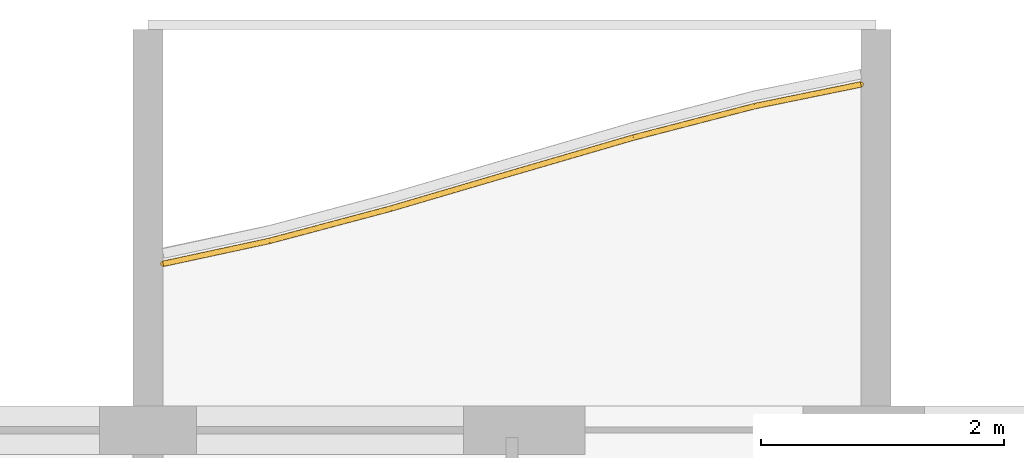
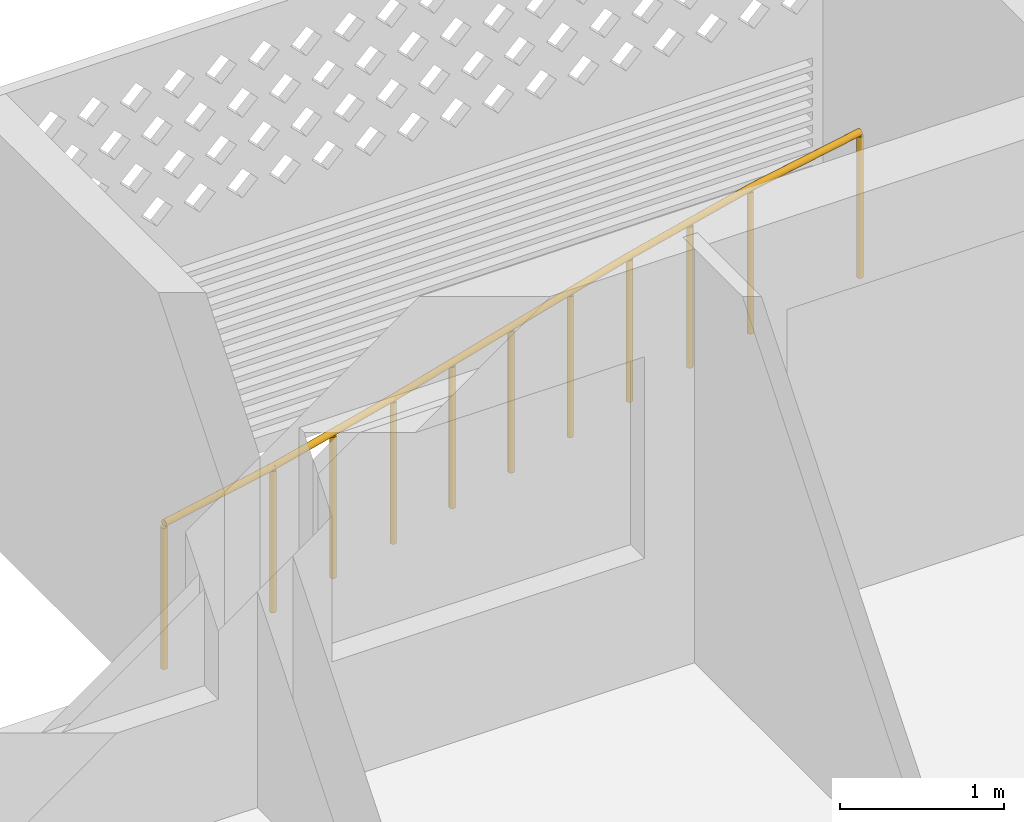
# One storey, part 22 of 27: 1 railing.
"""IFC4 building model written with IfcOpenShell, lengths in metres."""

from ifc_helpers import new_model, si_unit, direction, frame, origin, origin_2d, place, context, subcontext, project, spatial, circle, extrude, material, type_object, element, save


model = new_model("IFC4")

# Units and contexts
model_context = context("Model", 3, precision=1e-05, world=origin(), true_north=direction((0.0, 1.0)))
body_context = subcontext(model_context, "Body", "Model", "MODEL_VIEW")
ifc_project = project(units=[si_unit("LENGTHUNIT", "METRE"), si_unit("AREAUNIT", "SQUARE_METRE"), si_unit("VOLUMEUNIT", "CUBIC_METRE"), si_unit("PLANEANGLEUNIT", "RADIAN"), si_unit("MASSUNIT", "GRAM", prefix="KILO")], contexts=[model_context])

# Site, building, storey
site_placement = place(None, origin())
site = spatial("IfcSite", under=ifc_project, at=site_placement, CompositionType="ELEMENT")
building_placement = place(site_placement, origin())
building = spatial("IfcBuilding", under=site, at=building_placement, Name="Poui Terraces", CompositionType="ELEMENT")
storey_placement = place(building_placement, frame((0.0, 0.0, 204.89990234375)))
storey = spatial("IfcBuildingStorey", under=building, at=storey_placement, Name="L57", CompositionType="ELEMENT", Elevation=204.89990234375)

# Railing
ifc_material = material(Name="Painted steel fretwork", Category="steel")
railing_type = type_object("IfcRailingType", Name="BALCONY GUARD 1100", PredefinedType="GUARDRAIL", material=ifc_material)
railing_placement = place(storey_placement, frame((48.125, 42.57080078125, 0.0)))
element("IfcRailing", 1, at=railing_placement, inside=storey, type_object=railing_type, Name="BALCONY GUARD", PredefinedType="GUARDRAIL", context=body_context, shape_type="SweptSolid", body=[
    extrude(circle(Radius=0.02392578125, at=origin_2d()), frame((0.0, 0.0, 1.076171875), z_axis=(0.977522146276, 0.210832762018, 0.0), x_axis=(-0.210832762018, 0.977522146276, 0.0)), (0.0, 0.0, 1.0), 0.89501953125),
    extrude(circle(Radius=0.02392578125, at=origin_2d()), frame((0.875, 0.188720703125, 1.076171875), z_axis=(0.966367949348, 0.257163345896, 0.0), x_axis=(-0.257163345896, 0.966367949348, 0.0)), (0.0, 0.0, 1.0), 1.034912109375),
    extrude(circle(Radius=0.02392578125, at=origin_2d()), frame((1.875, 0.454833984375, 1.076171875), z_axis=(0.959346851742, 0.282229725671, 0.0), x_axis=(-0.282229725671, 0.959346851742, 0.0)), (0.0, 0.0, 1.0), 1.04248046875),
    extrude(circle(Radius=0.02392578125, at=origin_2d()), frame((2.875, 0.7490234375, 1.076171875), z_axis=(0.960041991036, 0.279855990551, 0.0), x_axis=(-0.279855990551, 0.960041991036, 0.0)), (0.0, 0.0, 1.0), 1.04150390625),
    extrude(circle(Radius=0.02392578125, at=origin_2d()), frame((3.875, 1.04052734375, 1.076171875), z_axis=(0.968050037836, 0.250757102086, 0.0), x_axis=(-0.250757102086, 0.968050037836, 0.0)), (0.0, 0.0, 1.0), 1.032958984375),
    extrude(circle(Radius=0.02392578125, at=origin_2d()), frame((4.875, 1.299560546875, 1.076171875), z_axis=(0.979773441626, 0.200109977475, 0.0), x_axis=(-0.200109977475, 0.979773441626, 0.0)), (0.0, 0.0, 1.0), 0.89306640625),
    extrude(circle(Radius=0.02099609375, at=origin_2d()), origin(), (0.0, 0.0, 1.0), 1.052001953125),
    extrude(circle(Radius=0.02099609375, at=origin_2d()), frame((0.875, 0.188720703125, 0.0)), (0.0, 0.0, 1.0), 1.052001953125),
    extrude(circle(Radius=0.02099609375, at=origin_2d()), frame((1.375, 0.32177734375, 0.0)), (0.0, 0.0, 1.0), 1.052001953125),
    extrude(circle(Radius=0.02099609375, at=origin_2d()), frame((1.875, 0.454833984375, 0.0)), (0.0, 0.0, 1.0), 1.052001953125),
    extrude(circle(Radius=0.02099609375, at=origin_2d()), frame((2.375, 0.60205078125, 0.0)), (0.0, 0.0, 1.0), 1.052001953125),
    extrude(circle(Radius=0.02099609375, at=origin_2d()), frame((2.875, 0.7490234375, 0.0)), (0.0, 0.0, 1.0), 1.052001953125),
    extrude(circle(Radius=0.02099609375, at=origin_2d()), frame((3.375, 0.894775390625, 0.0)), (0.0, 0.0, 1.0), 1.052001953125),
    extrude(circle(Radius=0.02099609375, at=origin_2d()), frame((3.875, 1.04052734375, 0.0)), (0.0, 0.0, 1.0), 1.052001953125),
    extrude(circle(Radius=0.02099609375, at=origin_2d()), frame((4.375, 1.169921875, 0.0)), (0.0, 0.0, 1.0), 1.052001953125),
    extrude(circle(Radius=0.02099609375, at=origin_2d()), frame((4.875, 1.299560546875, 0.0)), (0.0, 0.0, 1.0), 1.052001953125),
    extrude(circle(Radius=0.02099609375, at=origin_2d()), frame((5.75, 1.478271484375, 0.0)), (0.0, 0.0, 1.0), 1.052001953125),
])

save(model, "model.ifc")
